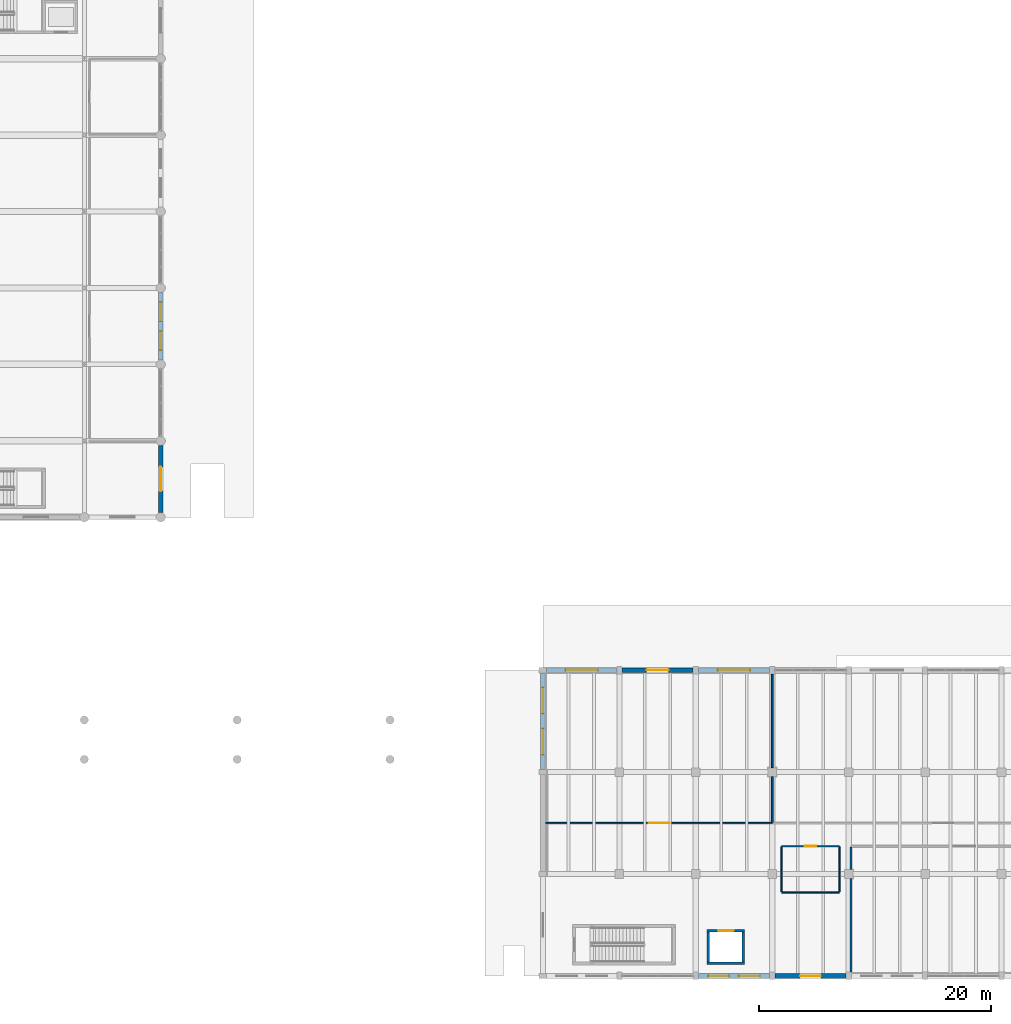
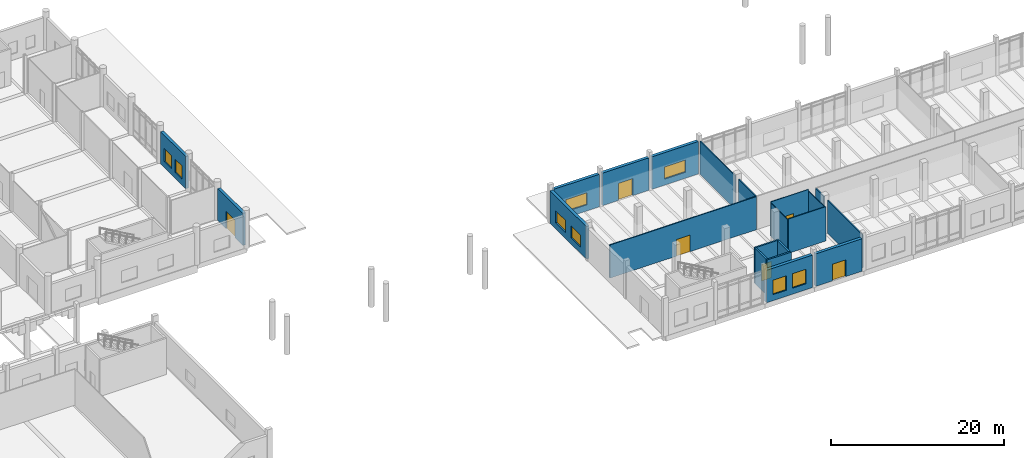
# One storey, part 47 of 72: 21 walls, 8 windows, 6 doors, 14 openings.
"""IFC4 building model written with IfcOpenShell, lengths in metres."""

import ifcopenshell
import ifcopenshell.guid

model = None  # the IFC model being written
_history = None  # IfcOwnerHistory: only IFC2X3 demands one
_inside = {}  # id of a spatial element -> (the spatial element, [elements in it])
_under = {}  # id of a project, library or spatial element -> (it, [spatial elements below it])
_declared = {}  # id of a project -> (the project, [libraries it declares])
_typed = {}  # id of a type object -> (the type object, [elements of that type])
_made_of = {}  # id of a material, layer set ... -> (it, [elements and type objects made of it])


def new_model(schema):
    """Start an empty IFC model of exactly this schema.

    Asked for "IFC4X3", IfcOpenShell would pick the latest addendum, in which some entities
    have other attributes; the version numbers below select the first issue.
    IFC2X3 requires an IfcOwnerHistory on every rooted entity: one is made here for all.
    """
    global model, _history
    if schema == "IFC4X3":
        model = ifcopenshell.file(schema_version=(4, 3, 0, 0))
    else:
        model = ifcopenshell.file(schema=schema)
    _inside.clear()
    _under.clear()
    _declared.clear()
    _typed.clear()
    _made_of.clear()
    _history = None
    if model.schema == "IFC2X3":
        org = make("IfcOrganization", Name="unknown")
        user = make(
            "IfcPersonAndOrganization",
            ThePerson=make("IfcPerson", FamilyName="unknown"),
            TheOrganization=org,
        )
        app = make(
            "IfcApplication",
            ApplicationDeveloper=org,
            Version="unknown",
            ApplicationFullName="unknown",
            ApplicationIdentifier="unknown",
        )
        _history = make(
            "IfcOwnerHistory",
            OwningUser=user,
            OwningApplication=app,
            ChangeAction="ADDED",
            CreationDate=0,
        )
    return model


def make(cls, **values):
    """One entity of the class cls with the attributes given. An attribute that is None is left unset."""
    return model.create_entity(
        cls, **{name: value for name, value in values.items() if value is not None}
    )


def rooted(cls, **values):
    """An entity with a GlobalId (a new one), such as an element, a storey or a relation."""
    return make(cls, GlobalId=ifcopenshell.guid.new(), OwnerHistory=_history, **values)


def si_unit(unit_type, name, prefix=None):
    """IfcSIUnit, for example si_unit("LENGTHUNIT", "METRE", prefix="MILLI")."""
    return make("IfcSIUnit", UnitType=unit_type, Prefix=prefix, Name=name)


def assignment(units):
    """IfcUnitAssignment: the units of a project."""
    return None if units is None else make("IfcUnitAssignment", Units=units)


def point(xyz):
    """IfcCartesianPoint."""
    return None if xyz is None else make("IfcCartesianPoint", Coordinates=xyz)


def direction(xyz):
    """IfcDirection."""
    return None if xyz is None else make("IfcDirection", DirectionRatios=xyz)


def frame(location, z_axis=None, x_axis=None):
    """IfcAxis2Placement3D, a coordinate frame: its origin and axes. An axis left out is left unset."""
    return make(
        "IfcAxis2Placement3D",
        Location=point(location),
        Axis=direction(z_axis),
        RefDirection=direction(x_axis),
    )


def frame_2d(location, x_axis=None):
    """IfcAxis2Placement2D, a coordinate frame in the plane: its origin and x axis."""
    return make(
        "IfcAxis2Placement2D", Location=point(location), RefDirection=direction(x_axis)
    )


def origin():
    """The frame at (0, 0, 0) with its axes left unset."""
    return frame((0.0, 0.0, 0.0))


def place(relative_to, where):
    """IfcLocalPlacement: puts the frame where relative to a parent placement (None: the world)."""
    return make(
        "IfcLocalPlacement", PlacementRelTo=relative_to, RelativePlacement=where
    )


def context(
    kind, dimensions, precision=None, world=None, true_north=None, identifier=None
):
    """IfcGeometricRepresentationContext, for example the 3D "Model" context."""
    return make(
        "IfcGeometricRepresentationContext",
        ContextIdentifier=identifier,
        ContextType=kind,
        CoordinateSpaceDimension=dimensions,
        Precision=precision,
        WorldCoordinateSystem=world,
        TrueNorth=true_north,
    )


def subcontext(parent, identifier, kind, view, scale=None):
    """IfcGeometricRepresentationSubContext, for example "Body" below "Model"."""
    return make(
        "IfcGeometricRepresentationSubContext",
        ContextIdentifier=identifier,
        ContextType=kind,
        ParentContext=parent,
        TargetScale=scale,
        TargetView=view,
    )


def project(units=None, contexts=None):
    """IfcProject with its units and contexts."""
    return rooted(
        "IfcProject",
        Name="project",
        RepresentationContexts=contexts,
        UnitsInContext=assignment(units),
    )


def spatial(cls, under=None, at=None, **own):
    """A site, building, storey or space (cls), placed at a placement, below another one or the project."""
    s = rooted(cls, ObjectPlacement=at, **own)
    if under is not None:
        _under.setdefault(under.id(), (under, []))[1].append(s)
    return s


def profile(cls, at=None, kind="AREA", **sizes):
    """A parametric profile (cls). Its sizes go by their IFC names, for example OverallWidth=200.0."""
    return make(cls, ProfileType=kind, Position=at, **sizes)


def rectangle(**sizes):
    """IfcRectangleProfileDef."""
    return profile("IfcRectangleProfileDef", **sizes)


def extrude(swept, where, along, depth):
    """IfcExtrudedAreaSolid: the profile swept, set in the frame where, extruded along a direction by depth."""
    return make(
        "IfcExtrudedAreaSolid",
        SweptArea=swept,
        Position=where,
        ExtrudedDirection=direction(along),
        Depth=depth,
    )


def shape(context_of_items, identifier, shape_type, items):
    """IfcShapeRepresentation: the items that make up one representation, for example the "Body"."""
    return make(
        "IfcShapeRepresentation",
        ContextOfItems=context_of_items,
        RepresentationIdentifier=identifier,
        RepresentationType=shape_type,
        Items=items,
    )


def material(Name=None, Category=None):
    """IfcMaterial."""
    return make("IfcMaterial", Name=Name, Category=Category)


def layer(
    of_material, thickness, ventilated=None, Name=None, Category=None, Priority=None
):
    """IfcMaterialLayer: one layer of a wall or slab, of a material (None: an air gap)."""
    return make(
        "IfcMaterialLayer",
        Material=of_material,
        LayerThickness=thickness,
        IsVentilated=ventilated,
        Name=Name,
        Category=Category,
        Priority=Priority,
    )


def layer_set(layers, Name=None):
    """IfcMaterialLayerSet."""
    return make("IfcMaterialLayerSet", MaterialLayers=layers, LayerSetName=Name)


def made_of(thing, what):
    """Note that an element or type object is made of a material, layer set ...; save() writes the relation."""
    if what is not None:
        _made_of.setdefault(what.id(), (what, []))[1].append(thing)
    return thing


def type_object(cls, material=None, **own):
    """A type object (cls), such as IfcWallType, which elements share."""
    return made_of(rooted(cls, **own), material)


def element(
    cls,
    number,
    at=None,
    inside=None,
    cuts=None,
    type_object=None,
    material=None,
    context=None,
    identifier="Body",
    shape_type=None,
    held_by="IfcProductDefinitionShape",
    body=None,
    shapes=None,
    **own,
):
    """One element of the class cls, such as IfcWall. Its Tag is "e" and its number.

    at: its placement. inside: the storey or other place that contains it. cuts: it is an
    opening in that element (IfcRelVoidsElement). A single representation is given by context,
    identifier, shape_type and body (its items); several are given by shapes. held_by: the class
    of the entity that holds the representations. save() writes the other relations.
    """
    e = rooted(cls, Tag="e%d" % number, ObjectPlacement=at, **own)
    if body is not None:
        shapes = [shape(context, identifier, shape_type, body)]
    if shapes is not None:
        e.Representation = make(held_by, Representations=shapes)
    if inside is not None:
        _inside.setdefault(inside.id(), (inside, []))[1].append(e)
    if cuts is not None:
        rooted(
            "IfcRelVoidsElement", RelatingBuildingElement=cuts, RelatedOpeningElement=e
        )
    if type_object is not None:
        _typed.setdefault(type_object.id(), (type_object, []))[1].append(e)
    return made_of(e, material)


def fill(opening, filler):
    """IfcRelFillsElement: the door or window that sits in an opening."""
    return rooted(
        "IfcRelFillsElement",
        RelatingOpeningElement=opening,
        RelatedBuildingElement=filler,
    )


def aggregate(whole, parts):
    """IfcRelAggregates: a whole, such as a stair, and the parts it consists of."""
    return rooted("IfcRelAggregates", RelatingObject=whole, RelatedObjects=parts)


def save(model, path):
    """Write the relations noted so far, then the file.

    IfcRelAggregates (storeys below a building ...), IfcRelContainedInSpatialStructure (elements
    in a storey), IfcRelDefinesByType, IfcRelAssociatesMaterial and IfcRelDeclares: one each for
    every whole, place, type object, material and project.
    """
    for whole, parts in _under.values():
        aggregate(whole, parts)
    for where, things in _inside.values():
        rooted(
            "IfcRelContainedInSpatialStructure",
            RelatedElements=things,
            RelatingStructure=where,
        )
    for kind, things in _typed.values():
        rooted("IfcRelDefinesByType", RelatedObjects=things, RelatingType=kind)
    for what, things in _made_of.values():
        rooted("IfcRelAssociatesMaterial", RelatedObjects=things, RelatingMaterial=what)
    for by, libraries in _declared.values():
        rooted("IfcRelDeclares", RelatingContext=by, RelatedDefinitions=libraries)
    model.write(path)


model = new_model("IFC4")

# Units and contexts
model_context = context("Model", 3, precision=1e-05, world=origin(), true_north=direction((0.0, 1.0)))
body_context = subcontext(model_context, "Body", "Model", "MODEL_VIEW")
ifc_project = project(units=[si_unit("LENGTHUNIT", "METRE"), si_unit("AREAUNIT", "SQUARE_METRE"), si_unit("VOLUMEUNIT", "CUBIC_METRE"), si_unit("PLANEANGLEUNIT", "RADIAN"), si_unit("MASSUNIT", "GRAM", prefix="KILO")], contexts=[model_context])

# Site, building, storey
site_placement = place(None, origin())
site = spatial("IfcSite", under=ifc_project, at=site_placement, CompositionType="ELEMENT")
building_placement = place(site_placement, origin())
building = spatial("IfcBuilding", under=site, at=building_placement, Name="Dornvale Research Institute", CompositionType="ELEMENT")
storey_placement = place(building_placement, origin())
storey = spatial("IfcBuildingStorey", under=building, at=storey_placement, Name="L00", CompositionType="ELEMENT", Elevation=0.0)

# Wall, opening, door
ifc_material_1 = material(Name="Epoxy-Coated Aluminum Honeycomb Cleanroom Partition", Category="aluminium")
ifc_layer_1 = layer(ifc_material_1, 0.139892578125)
ifc_layer_set_1 = layer_set([ifc_layer_1], Name="Epoxy-Coated Aluminum Honeycomb Cleanroom Partition")
wall_type_1 = type_object("IfcWallType", Name="Partition_Cleanroom_140", PredefinedType="PARTITIONING", material=ifc_layer_set_1)
wall_1_placement = place(storey_placement, frame((99.239990234375, 13.199951171875, 0.0), z_axis=(0.0, 0.0, 1.0), x_axis=(1.0, 0.0, 0.0)))
wall_1 = element("IfcWall", 1, at=wall_1_placement, inside=storey, type_object=wall_type_1, Name="L00 V3 interior partition #114", PredefinedType="PARTITIONING", context=body_context, shape_type="SweptSolid", body=[
    extrude(rectangle(XDim=19.56005859375, YDim=0.139892578125, at=frame_2d((9.780029296875, 0.0))), origin(), (0.0, 0.0, 1.0), 4.6650390625),
])
opening_1_placement = place(wall_1_placement, frame((8.889892578125, 0.0, 0.0)))
opening_1 = element("IfcOpeningElement", 2, at=opening_1_placement, cuts=wall_1, Name="Opening ID-02", PredefinedType="OPENING", context=body_context, shape_type="SweptSolid", body=[
    extrude(rectangle(XDim=1.820068359375, YDim=2.35009765625, at=frame_2d((0.91015625, 1.175048828125))), frame((0.0, 0.0849609375, 0.0), z_axis=(0.0, -1.0, 0.0), x_axis=(1.0, 0.0, 0.0)), (0.0, 0.0, 1.0), 0.169921875),
])
ifc_material_2 = material(Name="Insulated Fire-Rated Hollow Metal Door Assembly")
door_type_1 = type_object("IfcDoorType", Name="Door_CleanAirlock_1820x2350", OperationType="SINGLE_SWING_LEFT", PredefinedType="DOOR", material=ifc_material_2)
door_1_placement = place(opening_1_placement, origin())
door_1 = element("IfcDoor", 3, at=door_1_placement, inside=storey, type_object=door_type_1, Name="L00 Cleanroom Gowning Airlock L00 door #49", OperationType="DOUBLE_DOOR_SINGLE_SWING", OverallHeight=2.35009765625, OverallWidth=1.820068359375, PredefinedType="DOOR", context=body_context, shape_type="SweptSolid", body=[
    extrude(rectangle(XDim=1.820068359375, YDim=2.35009765625, at=frame_2d((0.91015625, 1.175048828125))), frame((0.0, 0.02490234375, 0.0), z_axis=(0.0, -1.0, 0.0), x_axis=(1.0, 0.0, 0.0)), (0.0, 0.0, 1.0), 0.050048828125),
])
fill(opening_1, door_1)

# Walls
wall_2_placement = place(storey_placement, frame((118.800048828125, 13.284912109375, 0.0), z_axis=(0.0, 0.0, 1.0), x_axis=(0.0, 1.0, 0.0)))
element("IfcWall", 4, at=wall_2_placement, inside=storey, type_object=wall_type_1, Name="L00 V3 interior partition #115", PredefinedType="PARTITIONING", context=body_context, shape_type="SweptSolid", body=[
    extrude(rectangle(XDim=3.920166015625, YDim=0.139892578125, at=frame_2d((1.9599609375, 0.0))), origin(), (0.0, 0.0, 1.0), 4.6650390625),
])
wall_3_placement = place(storey_placement, frame((118.800048828125, 17.9951171875, 0.0), z_axis=(0.0, 0.0, 1.0), x_axis=(0.0, 1.0, 0.0)))
element("IfcWall", 5, at=wall_3_placement, inside=storey, type_object=wall_type_1, Name="L00 V3 interior partition #116", PredefinedType="PARTITIONING", context=body_context, shape_type="SweptSolid", body=[
    extrude(rectangle(XDim=8.059814453125, YDim=0.139892578125, at=frame_2d((4.02978515625, 0.0))), origin(), (0.0, 0.0, 1.0), 4.6650390625),
])
wall_4_placement = place(storey_placement, frame((125.60009765625, 0.344970703125, 0.0), z_axis=(0.0, 0.0, 1.0), x_axis=(0.0, 1.0, 0.0)))
element("IfcWall", 6, at=wall_4_placement, inside=storey, type_object=wall_type_1, Name="L00 V3 interior partition #124", PredefinedType="PARTITIONING", context=body_context, shape_type="SweptSolid", body=[
    extrude(rectangle(XDim=8.06005859375, YDim=0.139892578125, at=frame_2d((4.030029296875, 0.0))), origin(), (0.0, 0.0, 1.0), 4.6650390625),
])
wall_5_placement = place(storey_placement, frame((125.60009765625, 9.195068359375, 0.0), z_axis=(0.0, 0.0, 1.0), x_axis=(0.0, 1.0, 0.0)))
element("IfcWall", 7, at=wall_5_placement, inside=storey, type_object=wall_type_1, Name="L00 V3 interior partition #125", PredefinedType="PARTITIONING", context=body_context, shape_type="SweptSolid", body=[
    extrude(rectangle(XDim=1.919921875, YDim=0.139892578125, at=frame_2d((0.9599609375, 0.0))), origin(), (0.0, 0.0, 1.0), 4.6650390625),
])
ifc_material_3 = material(Name="Acoustic Insulated Double-Stud Laboratory Partition")
ifc_layer_2 = layer(ifc_material_3, 0.10009765625)
ifc_layer_set_2 = layer_set([ifc_layer_2], Name="Acoustic Insulated Double-Stud Laboratory Partition")
wall_type_2 = type_object("IfcWallType", Name="Partition_Office_100", PredefinedType="PARTITIONING", material=ifc_layer_set_2)
wall_6_placement = place(storey_placement, frame((119.60009765625, 7.199951171875, 0.0), z_axis=(0.0, 0.0, 1.0), x_axis=(1.0, 0.0, 0.0)))
element("IfcWall", 8, at=wall_6_placement, inside=storey, type_object=wall_type_2, Name="L00 V3 interior partition #110", PredefinedType="PARTITIONING", context=body_context, shape_type="SweptSolid", body=[
    extrude(rectangle(XDim=5.0, YDim=0.10009765625, at=frame_2d((2.5, 0.0))), origin(), (0.0, 0.0, 1.0), 4.844970703125),
])

# Wall, opening, door
wall_7_placement = place(storey_placement, frame((119.60009765625, 11.199951171875, 0.0), z_axis=(0.0, 0.0, 1.0), x_axis=(1.0, 0.0, 0.0)))
wall_7 = element("IfcWall", 9, at=wall_7_placement, inside=storey, type_object=wall_type_2, Name="L00 V3 interior partition #111", PredefinedType="PARTITIONING", context=body_context, shape_type="SweptSolid", body=[
    extrude(rectangle(XDim=5.0, YDim=0.10009765625, at=frame_2d((2.5, 0.0))), origin(), (0.0, 0.0, 1.0), 4.844970703125),
])
opening_2_placement = place(wall_7_placement, frame((2.0, 0.0, 0.0)))
opening_2 = element("IfcOpeningElement", 10, at=opening_2_placement, cuts=wall_7, Name="Opening ID-24", PredefinedType="OPENING", context=body_context, shape_type="SweptSolid", body=[
    extrude(rectangle(XDim=1.0, YDim=2.14990234375, at=frame_2d((0.5, 1.074951171875))), frame((0.0, 0.06494140625, 0.0), z_axis=(0.0, -1.0, 0.0), x_axis=(1.0, 0.0, 0.0)), (0.0, 0.0, 1.0), 0.130126953125),
])
ifc_material_4 = material(Name="Phenolic-Faced Solid-Core Laboratory Door Assembly")
door_type_2 = type_object("IfcDoorType", Name="Door_AccWC_1000x2150", OperationType="SINGLE_SWING_LEFT", PredefinedType="DOOR", material=ifc_material_4)
door_2_placement = place(opening_2_placement, origin())
door_2 = element("IfcDoor", 11, at=door_2_placement, inside=storey, type_object=door_type_2, Name="L00 Cleanroom Staff and Accessible Restrooms L00 door #48", OperationType="SINGLE_SWING_LEFT", OverallHeight=2.14990234375, OverallWidth=1.0, PredefinedType="DOOR", context=body_context, shape_type="SweptSolid", body=[
    extrude(rectangle(XDim=1.0, YDim=2.14990234375, at=frame_2d((0.5, 1.074951171875))), frame((0.0, 0.02490234375, 0.0), z_axis=(0.0, -1.0, 0.0), x_axis=(1.0, 0.0, 0.0)), (0.0, 0.0, 1.0), 0.050048828125),
])
fill(opening_2, door_2)

# Walls
for number, where, z_axis, x_axis, name in (
    (12, (119.60009765625, 7.264892578125, 0.0), (0.0, 0.0, 1.0), (0.0, 1.0, 0.0), "L00 V3 interior partition #112"),
    (13, (124.60009765625, 7.264892578125, 0.0), (0.0, 0.0, 1.0), (0.0, 1.0, 0.0), "L00 V3 interior partition #113"),
):
    element("IfcWall", number, at=place(storey_placement, frame(where, z_axis=z_axis, x_axis=x_axis)), inside=storey, type_object=wall_type_2, Name=name, PredefinedType="PARTITIONING", context=body_context, shape_type="SweptSolid", body=[
        extrude(rectangle(XDim=3.8701171875, YDim=0.10009765625, at=frame_2d((1.93505859375, 0.0))), origin(), (0.0, 0.0, 1.0), 4.6650390625),
    ])
ifc_material_5 = material(Name="Concrete f'c 45 MPa (C35/45)", Category="concrete")
ifc_layer_3 = layer(ifc_material_5, 0.219970703125)
ifc_layer_set_3 = layer_set([ifc_layer_3], Name="Concrete f'c 45 MPa (C35/45)")
wall_type_3 = type_object("IfcWallType", Name="ShearWall_Shaft_220", PredefinedType="SHEAR", material=ifc_layer_set_3)
wall_8_placement = place(storey_placement, frame((113.179931640625, 1.090087890625, 0.0), z_axis=(0.0, 0.0, 1.0), x_axis=(1.0, 0.0, 0.0)))
element("IfcWall", 14, at=wall_8_placement, inside=storey, type_object=wall_type_3, Name="L00 LC1 elevator shaft wall south", PredefinedType="SHEAR", context=body_context, shape_type="SweptSolid", body=[
    extrude(rectangle(XDim=3.239990234375, YDim=0.219970703125, at=frame_2d((1.6201171875, 0.0))), origin(), (0.0, 0.0, 1.0), 5.0400390625),
])

# Wall, opening, door
wall_9_placement = place(storey_placement, frame((113.179931640625, 3.909912109375, 0.0), z_axis=(0.0, 0.0, 1.0), x_axis=(1.0, 0.0, 0.0)))
wall_9 = element("IfcWall", 15, at=wall_9_placement, inside=storey, type_object=wall_type_3, Name="L00 LC1 elevator shaft wall north", PredefinedType="SHEAR", context=body_context, shape_type="SweptSolid", body=[
    extrude(rectangle(XDim=3.239990234375, YDim=0.219970703125, at=frame_2d((1.6201171875, 0.0))), origin(), (0.0, 0.0, 1.0), 5.0400390625),
])
opening_3_placement = place(wall_9_placement, frame((0.945068359375, 0.0, 0.0)))
opening_3 = element("IfcOpeningElement", 16, at=opening_3_placement, cuts=wall_9, Name="Opening LD-04", PredefinedType="OPENING", context=body_context, shape_type="SweptSolid", body=[
    extrude(rectangle(XDim=1.35009765625, YDim=2.300048828125, at=frame_2d((0.675048828125, 1.14990234375))), frame((0.0, 0.125, 0.0), z_axis=(0.0, -1.0, 0.0), x_axis=(1.0, 0.0, 0.0)), (0.0, 0.0, 1.0), 0.25),
])
ifc_material_6 = material(Name="Brushed Stainless Steel Sliding Elevator Landing Door", Category="steel")
door_type_3 = type_object("IfcDoorType", Name="Door_LiftLanding_Clean_1350x2300", OperationType="SINGLE_SWING_LEFT", PredefinedType="DOOR", material=ifc_material_6)
door_3_placement = place(opening_3_placement, origin())
door_3 = element("IfcDoor", 17, at=door_3_placement, inside=storey, type_object=door_type_3, Name="L00 LC1 sliding elevator landing door #54", OperationType="SLIDING_TO_LEFT", OverallHeight=2.300048828125, OverallWidth=1.35009765625, PredefinedType="DOOR", context=body_context, shape_type="SweptSolid", body=[
    extrude(rectangle(XDim=1.35009765625, YDim=2.300048828125, at=frame_2d((0.675048828125, 1.14990234375))), frame((0.0, 0.02490234375, 0.0), z_axis=(0.0, -1.0, 0.0), x_axis=(1.0, 0.0, 0.0)), (0.0, 0.0, 1.0), 0.050048828125),
])
fill(opening_3, door_3)

# Walls
for number, where, z_axis, x_axis, name in (
    (18, (113.2900390625, 1.199951171875, 0.0), (0.0, 0.0, 1.0), (0.0, 1.0, 0.0), "L00 LC1 elevator shaft wall west"),
    (19, (116.31005859375, 1.199951171875, 0.0), (0.0, 0.0, 1.0), (0.0, 1.0, 0.0), "L00 LC1 elevator shaft wall east"),
):
    element("IfcWall", number, at=place(storey_placement, frame(where, z_axis=z_axis, x_axis=x_axis)), inside=storey, type_object=wall_type_3, Name=name, PredefinedType="SHEAR", context=body_context, shape_type="SweptSolid", body=[
        extrude(rectangle(XDim=2.60009765625, YDim=0.219970703125, at=frame_2d((1.300048828125, 0.0))), origin(), (0.0, 0.0, 1.0), 5.0400390625),
    ])

# Wall, openings, windows
ifc_material_7 = material(Name="Catalan Pressed Brick and Insulated Cavity Assembly", Category="masonry")
ifc_layer_4 = layer(ifc_material_7, 0.360107421875)
ifc_layer_set_4 = layer_set([ifc_layer_4], Name="Catalan Pressed Brick and Insulated Cavity Assembly")
wall_type_4 = type_object("IfcWallType", Name="StandardWall_BrickCavity_360", PredefinedType="STANDARD", material=ifc_layer_set_4)
wall_10_placement = place(storey_placement, frame((66.0, 59.0048828125, 0.0), z_axis=(0.0, 0.0, 1.0), x_axis=(0.0, -1.0, 0.0)))
wall_10 = element("IfcWall", 20, at=wall_10_placement, inside=storey, type_object=wall_type_4, Name="L00 V2 east exterior wall #60", PredefinedType="STANDARD", context=body_context, shape_type="SweptSolid", body=[
    extrude(rectangle(XDim=5.809814453125, YDim=0.360107421875, at=frame_2d((2.90478515625, 0.0))), origin(), (0.0, 0.0, 1.0), 4.550048828125),
])
opening_4_placement = place(wall_10_placement, frame((0.836669921875, 0.0, 0.85009765625)))
opening_4 = element("IfcOpeningElement", 21, at=opening_4_placement, cuts=wall_10, Name="Opening W-16", PredefinedType="OPENING", context=body_context, shape_type="SweptSolid", body=[
    extrude(rectangle(XDim=1.64990234375, YDim=1.860107421875, at=frame_2d((0.824951171875, 0.93017578125))), frame((0.0, 0.195068359375, 0.0), z_axis=(0.0, -1.0, 0.0), x_axis=(1.0, 0.0, 0.0)), (0.0, 0.0, 1.0), 0.39013671875),
])
opening_5_placement = place(wall_10_placement, frame((3.323486328125, 0.0, 0.85009765625)))
opening_5 = element("IfcOpeningElement", 22, at=opening_5_placement, cuts=wall_10, Name="Opening W-16", PredefinedType="OPENING", context=body_context, shape_type="SweptSolid", body=[
    extrude(rectangle(XDim=1.64990234375, YDim=1.860107421875, at=frame_2d((0.824951171875, 0.93017578125))), frame((0.0, 0.195068359375, 0.0), z_axis=(0.0, -1.0, 0.0), x_axis=(1.0, 0.0, 0.0)), (0.0, 0.0, 1.0), 0.39013671875),
])
ifc_material_8 = material(Name="Low-E Argon Double Insulating Glazing Unit", Category="glass")
window_type_1 = type_object("IfcWindowType", Name="Window_Alu_1650x1860_16", PartitioningType="SINGLE_PANEL", PredefinedType="WINDOW", material=ifc_material_8)
window_1_placement = place(opening_4_placement, origin())
window_1 = element("IfcWindow", 23, at=window_1_placement, inside=storey, type_object=window_type_1, Name="L00 V2 facade window W-16 #74", OverallHeight=1.860107421875, OverallWidth=1.64990234375, PartitioningType="SINGLE_PANEL", PredefinedType="WINDOW", context=body_context, shape_type="SweptSolid", body=[
    extrude(rectangle(XDim=1.64990234375, YDim=1.860107421875, at=frame_2d((0.824951171875, 0.93017578125))), frame((0.0, 0.030029296875, 0.0), z_axis=(0.0, -1.0, 0.0), x_axis=(1.0, 0.0, 0.0)), (0.0, 0.0, 1.0), 0.06005859375),
])
fill(opening_4, window_1)
window_2_placement = place(opening_5_placement, origin())
window_2 = element("IfcWindow", 24, at=window_2_placement, inside=storey, type_object=window_type_1, Name="L00 V2 facade window W-16 #75", OverallHeight=1.860107421875, OverallWidth=1.64990234375, PartitioningType="SINGLE_PANEL", PredefinedType="WINDOW", context=body_context, shape_type="SweptSolid", body=[
    extrude(rectangle(XDim=1.64990234375, YDim=1.860107421875, at=frame_2d((0.824951171875, 0.93017578125))), frame((0.0, 0.030029296875, 0.0), z_axis=(0.0, -1.0, 0.0), x_axis=(1.0, 0.0, 0.0)), (0.0, 0.0, 1.0), 0.06005859375),
])
fill(opening_5, window_2)

# Wall, opening, door
wall_11_placement = place(storey_placement, frame((66.0, 45.804931640625, 0.0), z_axis=(0.0, 0.0, 1.0), x_axis=(0.0, -1.0, 0.0)))
wall_11 = element("IfcWall", 25, at=wall_11_placement, inside=storey, type_object=wall_type_4, Name="L00 V2 east exterior wall #61", PredefinedType="STANDARD", context=body_context, shape_type="SweptSolid", body=[
    extrude(rectangle(XDim=5.809814453125, YDim=0.360107421875, at=frame_2d((2.90478515625, 0.0))), origin(), (0.0, 0.0, 1.0), 4.550048828125),
])
opening_6_placement = place(wall_11_placement, frame((1.85498046875, 0.0, 0.0)))
opening_6 = element("IfcOpeningElement", 26, at=opening_6_placement, cuts=wall_11, Name="Opening ED-03", PredefinedType="OPENING", context=body_context, shape_type="SweptSolid", body=[
    extrude(rectangle(XDim=2.10009765625, YDim=2.5, at=frame_2d((1.050048828125, 1.25))), frame((0.0, 0.195068359375, 0.0), z_axis=(0.0, -1.0, 0.0), x_axis=(1.0, 0.0, 0.0)), (0.0, 0.0, 1.0), 0.39013671875),
])
ifc_material_9 = material(Name="Galvanized Hollow Metal Insulated Door Assembly")
door_type_4 = type_object("IfcDoorType", Name="Door_ExtPortal_2100x2500", OperationType="SINGLE_SWING_LEFT", PredefinedType="DOOR", material=ifc_material_9)
door_4_placement = place(opening_6_placement, origin())
door_4 = element("IfcDoor", 27, at=door_4_placement, inside=storey, type_object=door_type_4, Name="L00 V2 final exit door ED-03 #9", OperationType="DOUBLE_DOOR_SINGLE_SWING", OverallHeight=2.5, OverallWidth=2.10009765625, PredefinedType="DOOR", context=body_context, shape_type="SweptSolid", body=[
    extrude(rectangle(XDim=2.10009765625, YDim=2.5, at=frame_2d((1.050048828125, 1.25))), frame((0.0, 0.02490234375, 0.0), z_axis=(0.0, -1.0, 0.0), x_axis=(1.0, 0.0, 0.0)), (0.0, 0.0, 1.0), 0.050048828125),
])
fill(opening_6, door_4)

# Wall, openings, windows
ifc_material_10 = material(Name="Precast Concrete f'c 40 MPa (C32/40) and Glazed Terracotta Backup Wall", Category="masonry")
ifc_layer_5 = layer(ifc_material_10, 0.39990234375)
ifc_layer_set_5 = layer_set([ifc_layer_5], Name="Precast Concrete f'c 40 MPa (C32/40) and Glazed Terracotta Backup Wall")
wall_type_5 = type_object("IfcWallType", Name="StandardWall_CleanroomExt_400", PredefinedType="STANDARD", material=ifc_layer_set_5)
wall_12_placement = place(storey_placement, frame((99.0, 17.824951171875, 0.0), z_axis=(0.0, 0.0, 1.0), x_axis=(0.0, 1.0, 0.0)))
wall_12 = element("IfcWall", 28, at=wall_12_placement, inside=storey, type_object=wall_type_5, Name="L00 V3 west exterior wall #112", PredefinedType="STANDARD", context=body_context, shape_type="SweptSolid", body=[
    extrude(rectangle(XDim=8.35009765625, YDim=0.39990234375, at=frame_2d((4.175048828125, 0.0))), origin(), (0.0, 0.0, 1.0), 4.580078125),
])
opening_7_placement = place(wall_12_placement, frame((1.283203125, 0.0, 0.85009765625)))
opening_7 = element("IfcOpeningElement", 29, at=opening_7_placement, cuts=wall_12, Name="Opening W-20", PredefinedType="OPENING", context=body_context, shape_type="SweptSolid", body=[
    extrude(rectangle(XDim=2.25, YDim=1.699951171875, at=frame_2d((1.125, 0.85009765625))), frame((0.0, 0.21484375, 0.0), z_axis=(0.0, -1.0, 0.0), x_axis=(1.0, 0.0, 0.0)), (0.0, 0.0, 1.0), 0.429931640625),
])
opening_8_placement = place(wall_12_placement, frame((4.816650390625, 0.0, 0.85009765625)))
opening_8 = element("IfcOpeningElement", 30, at=opening_8_placement, cuts=wall_12, Name="Opening W-20", PredefinedType="OPENING", context=body_context, shape_type="SweptSolid", body=[
    extrude(rectangle(XDim=2.25, YDim=1.699951171875, at=frame_2d((1.125, 0.85009765625))), frame((0.0, 0.21484375, 0.0), z_axis=(0.0, -1.0, 0.0), x_axis=(1.0, 0.0, 0.0)), (0.0, 0.0, 1.0), 0.429931640625),
])
ifc_material_11 = material(Name="Low-E Argon Double Insulating Glazing Unit", Category="glass")
window_type_2 = type_object("IfcWindowType", Name="Window_Alu_2250x1700_20", PartitioningType="DOUBLE_PANEL_VERTICAL", PredefinedType="WINDOW", material=ifc_material_11)
window_3_placement = place(opening_7_placement, origin())
window_3 = element("IfcWindow", 31, at=window_3_placement, inside=storey, type_object=window_type_2, Name="L00 V3 facade window W-20 #140", OverallHeight=1.699951171875, OverallWidth=2.25, PartitioningType="DOUBLE_PANEL_VERTICAL", PredefinedType="WINDOW", context=body_context, shape_type="SweptSolid", body=[
    extrude(rectangle(XDim=2.25, YDim=1.699951171875, at=frame_2d((1.125, 0.85009765625))), frame((0.0, 0.030029296875, 0.0), z_axis=(0.0, -1.0, 0.0), x_axis=(1.0, 0.0, 0.0)), (0.0, 0.0, 1.0), 0.06005859375),
])
fill(opening_7, window_3)
window_4_placement = place(opening_8_placement, origin())
window_4 = element("IfcWindow", 32, at=window_4_placement, inside=storey, type_object=window_type_2, Name="L00 V3 facade window W-20 #141", OverallHeight=1.699951171875, OverallWidth=2.25, PartitioningType="DOUBLE_PANEL_VERTICAL", PredefinedType="WINDOW", context=body_context, shape_type="SweptSolid", body=[
    extrude(rectangle(XDim=2.25, YDim=1.699951171875, at=frame_2d((1.125, 0.85009765625))), frame((0.0, 0.030029296875, 0.0), z_axis=(0.0, -1.0, 0.0), x_axis=(1.0, 0.0, 0.0)), (0.0, 0.0, 1.0), 0.06005859375),
])
fill(opening_8, window_4)

# Wall, opening, window
wall_13_placement = place(storey_placement, frame((99.324951171875, 26.39990234375, 0.0), z_axis=(0.0, 0.0, 1.0), x_axis=(1.0, 0.0, 0.0)))
wall_13 = element("IfcWall", 33, at=wall_13_placement, inside=storey, type_object=wall_type_5, Name="L00 V3 north exterior wall #113", PredefinedType="STANDARD", context=body_context, shape_type="SweptSolid", body=[
    extrude(rectangle(XDim=6.050048828125, YDim=0.39990234375, at=frame_2d((3.02490234375, 0.0))), origin(), (0.0, 0.0, 1.0), 4.580078125),
])
opening_9_placement = place(wall_13_placement, frame((1.625, 0.0, 0.85009765625)))
opening_9 = element("IfcOpeningElement", 34, at=opening_9_placement, cuts=wall_13, Name="Opening W-23", PredefinedType="OPENING", context=body_context, shape_type="SweptSolid", body=[
    extrude(rectangle(XDim=2.800048828125, YDim=1.699951171875, at=frame_2d((1.39990234375, 0.85009765625))), frame((0.0, 0.21484375, 0.0), z_axis=(0.0, -1.0, 0.0), x_axis=(1.0, 0.0, 0.0)), (0.0, 0.0, 1.0), 0.429931640625),
])
ifc_material_12 = material(Name="Low-E Argon Double Insulating Glazing Unit", Category="glass")
window_type_3 = type_object("IfcWindowType", Name="Window_Alu_2800x1700_23", PartitioningType="DOUBLE_PANEL_VERTICAL", PredefinedType="WINDOW", material=ifc_material_12)
window_5_placement = place(opening_9_placement, origin())
window_5 = element("IfcWindow", 35, at=window_5_placement, inside=storey, type_object=window_type_3, Name="L00 V3 facade window W-23 #142", OverallHeight=1.699951171875, OverallWidth=2.800048828125, PartitioningType="DOUBLE_PANEL_VERTICAL", PredefinedType="WINDOW", context=body_context, shape_type="SweptSolid", body=[
    extrude(rectangle(XDim=2.800048828125, YDim=1.699951171875, at=frame_2d((1.39990234375, 0.85009765625))), frame((0.0, 0.030029296875, 0.0), z_axis=(0.0, -1.0, 0.0), x_axis=(1.0, 0.0, 0.0)), (0.0, 0.0, 1.0), 0.06005859375),
])
fill(opening_9, window_5)

# Wall, opening, door
wall_14_placement = place(storey_placement, frame((105.824951171875, 26.39990234375, 0.0), z_axis=(0.0, 0.0, 1.0), x_axis=(1.0, 0.0, 0.0)))
wall_14 = element("IfcWall", 36, at=wall_14_placement, inside=storey, type_object=wall_type_5, Name="L00 V3 north exterior wall #114", PredefinedType="STANDARD", context=body_context, shape_type="SweptSolid", body=[
    extrude(rectangle(XDim=6.150146484375, YDim=0.39990234375, at=frame_2d((3.0751953125, 0.0))), origin(), (0.0, 0.0, 1.0), 4.580078125),
])
opening_10_placement = place(wall_14_placement, frame((2.125, 0.0, 0.0)))
opening_10 = element("IfcOpeningElement", 37, at=opening_10_placement, cuts=wall_14, Name="Opening ED-05", PredefinedType="OPENING", context=body_context, shape_type="SweptSolid", body=[
    extrude(rectangle(XDim=1.89990234375, YDim=2.39990234375, at=frame_2d((0.949951171875, 1.199951171875))), frame((0.0, 0.21484375, 0.0), z_axis=(0.0, -1.0, 0.0), x_axis=(1.0, 0.0, 0.0)), (0.0, 0.0, 1.0), 0.429931640625),
])
ifc_material_13 = material(Name="Galvanized Hollow Metal Insulated Door Assembly")
door_type_5 = type_object("IfcDoorType", Name="Door_ExtExit_1900x2400", OperationType="SINGLE_SWING_LEFT", PredefinedType="DOOR", material=ifc_material_13)
door_5_placement = place(opening_10_placement, origin())
door_5 = element("IfcDoor", 38, at=door_5_placement, inside=storey, type_object=door_type_5, Name="L00 V3 final exit door ED-05 #15", OperationType="DOUBLE_DOOR_SINGLE_SWING", OverallHeight=2.39990234375, OverallWidth=1.89990234375, PredefinedType="DOOR", context=body_context, shape_type="SweptSolid", body=[
    extrude(rectangle(XDim=1.89990234375, YDim=2.39990234375, at=frame_2d((0.949951171875, 1.199951171875))), frame((0.0, 0.02490234375, 0.0), z_axis=(0.0, -1.0, 0.0), x_axis=(1.0, 0.0, 0.0)), (0.0, 0.0, 1.0), 0.050048828125),
])
fill(opening_10, door_5)

# Wall, opening, window
wall_15_placement = place(storey_placement, frame((112.425048828125, 26.39990234375, 0.0), z_axis=(0.0, 0.0, 1.0), x_axis=(1.0, 0.0, 0.0)))
wall_15 = element("IfcWall", 39, at=wall_15_placement, inside=storey, type_object=wall_type_5, Name="L00 V3 north exterior wall #115", PredefinedType="STANDARD", context=body_context, shape_type="SweptSolid", body=[
    extrude(rectangle(XDim=6.14990234375, YDim=0.39990234375, at=frame_2d((3.074951171875, 0.0))), origin(), (0.0, 0.0, 1.0), 4.580078125),
])
opening_11_placement = place(wall_15_placement, frame((1.675048828125, 0.0, 0.85009765625)))
opening_11 = element("IfcOpeningElement", 40, at=opening_11_placement, cuts=wall_15, Name="Opening W-23", PredefinedType="OPENING", context=body_context, shape_type="SweptSolid", body=[
    extrude(rectangle(XDim=2.800048828125, YDim=1.699951171875, at=frame_2d((1.39990234375, 0.85009765625))), frame((0.0, 0.21484375, 0.0), z_axis=(0.0, -1.0, 0.0), x_axis=(1.0, 0.0, 0.0)), (0.0, 0.0, 1.0), 0.429931640625),
])
window_6_placement = place(opening_11_placement, origin())
window_6 = element("IfcWindow", 41, at=window_6_placement, inside=storey, type_object=window_type_3, Name="L00 V3 facade window W-23 #143", OverallHeight=1.699951171875, OverallWidth=2.800048828125, PartitioningType="DOUBLE_PANEL_VERTICAL", PredefinedType="WINDOW", context=body_context, shape_type="SweptSolid", body=[
    extrude(rectangle(XDim=2.800048828125, YDim=1.699951171875, at=frame_2d((1.39990234375, 0.85009765625))), frame((0.0, 0.030029296875, 0.0), z_axis=(0.0, -1.0, 0.0), x_axis=(1.0, 0.0, 0.0)), (0.0, 0.0, 1.0), 0.06005859375),
])
fill(opening_11, window_6)

# Wall, opening, door
wall_16_placement = place(storey_placement, frame((125.175048828125, 0.0, 0.0), z_axis=(0.0, 0.0, 1.0), x_axis=(-1.0, 0.0, 0.0)))
wall_16 = element("IfcWall", 42, at=wall_16_placement, inside=storey, type_object=wall_type_5, Name="L00 V3 south exterior wall #127", PredefinedType="STANDARD", context=body_context, shape_type="SweptSolid", body=[
    extrude(rectangle(XDim=6.150146484375, YDim=0.39990234375, at=frame_2d((3.0751953125, 0.0))), origin(), (0.0, 0.0, 1.0), 4.580078125),
])
opening_12_placement = place(wall_16_placement, frame((2.175048828125, 0.0, 0.0)))
opening_12 = element("IfcOpeningElement", 43, at=opening_12_placement, cuts=wall_16, Name="Opening ED-06", PredefinedType="OPENING", context=body_context, shape_type="SweptSolid", body=[
    extrude(rectangle(XDim=1.800048828125, YDim=2.35009765625, at=frame_2d((0.89990234375, 1.175048828125))), frame((0.0, 0.21484375, 0.0), z_axis=(0.0, -1.0, 0.0), x_axis=(1.0, 0.0, 0.0)), (0.0, 0.0, 1.0), 0.429931640625),
])
ifc_material_14 = material(Name="Galvanized Hollow Metal Insulated Door Assembly")
door_type_6 = type_object("IfcDoorType", Name="Door_ExtExit_1800x2350", OperationType="SINGLE_SWING_LEFT", PredefinedType="DOOR", material=ifc_material_14)
door_6_placement = place(opening_12_placement, origin())
door_6 = element("IfcDoor", 44, at=door_6_placement, inside=storey, type_object=door_type_6, Name="L00 V3 final exit door ED-06 #18", OperationType="DOUBLE_DOOR_SINGLE_SWING", OverallHeight=2.35009765625, OverallWidth=1.800048828125, PredefinedType="DOOR", context=body_context, shape_type="SweptSolid", body=[
    extrude(rectangle(XDim=1.800048828125, YDim=2.35009765625, at=frame_2d((0.89990234375, 1.175048828125))), frame((0.0, 0.02490234375, 0.0), z_axis=(0.0, -1.0, 0.0), x_axis=(1.0, 0.0, 0.0)), (0.0, 0.0, 1.0), 0.050048828125),
])
fill(opening_12, door_6)

# Wall, openings, windows
wall_17_placement = place(storey_placement, frame((118.574951171875, 0.0, 0.0), z_axis=(0.0, 0.0, 1.0), x_axis=(-1.0, 0.0, 0.0)))
wall_17 = element("IfcWall", 45, at=wall_17_placement, inside=storey, type_object=wall_type_5, Name="L00 V3 south exterior wall #128", PredefinedType="STANDARD", context=body_context, shape_type="SweptSolid", body=[
    extrude(rectangle(XDim=6.14990234375, YDim=0.39990234375, at=frame_2d((3.074951171875, 0.0))), origin(), (0.0, 0.0, 1.0), 4.580078125),
])
opening_13_placement = place(wall_17_placement, frame((0.85009765625, 0.0, 0.85009765625)))
opening_13 = element("IfcOpeningElement", 46, at=opening_13_placement, cuts=wall_17, Name="Opening W-29", PredefinedType="OPENING", context=body_context, shape_type="SweptSolid", body=[
    extrude(rectangle(XDim=1.800048828125, YDim=2.0400390625, at=frame_2d((0.89990234375, 1.02001953125))), frame((0.0, 0.21484375, 0.0), z_axis=(0.0, -1.0, 0.0), x_axis=(1.0, 0.0, 0.0)), (0.0, 0.0, 1.0), 0.429931640625),
])
opening_14_placement = place(wall_17_placement, frame((3.5, 0.0, 0.85009765625)))
opening_14 = element("IfcOpeningElement", 47, at=opening_14_placement, cuts=wall_17, Name="Opening W-29", PredefinedType="OPENING", context=body_context, shape_type="SweptSolid", body=[
    extrude(rectangle(XDim=1.800048828125, YDim=2.0400390625, at=frame_2d((0.89990234375, 1.02001953125))), frame((0.0, 0.21484375, 0.0), z_axis=(0.0, -1.0, 0.0), x_axis=(1.0, 0.0, 0.0)), (0.0, 0.0, 1.0), 0.429931640625),
])
ifc_material_15 = material(Name="Low-E Argon Double Insulating Glazing Unit", Category="glass")
window_type_4 = type_object("IfcWindowType", Name="Window_Alu_1800x2040_29", PartitioningType="DOUBLE_PANEL_VERTICAL", PredefinedType="WINDOW", material=ifc_material_15)
window_7_placement = place(opening_13_placement, origin())
window_7 = element("IfcWindow", 48, at=window_7_placement, inside=storey, type_object=window_type_4, Name="L00 V3 facade window W-29 #159", OverallHeight=2.0400390625, OverallWidth=1.800048828125, PartitioningType="DOUBLE_PANEL_VERTICAL", PredefinedType="WINDOW", context=body_context, shape_type="SweptSolid", body=[
    extrude(rectangle(XDim=1.800048828125, YDim=2.0400390625, at=frame_2d((0.89990234375, 1.02001953125))), frame((0.0, 0.030029296875, 0.0), z_axis=(0.0, -1.0, 0.0), x_axis=(1.0, 0.0, 0.0)), (0.0, 0.0, 1.0), 0.06005859375),
])
fill(opening_13, window_7)
window_8_placement = place(opening_14_placement, origin())
window_8 = element("IfcWindow", 49, at=window_8_placement, inside=storey, type_object=window_type_4, Name="L00 V3 facade window W-29 #160", OverallHeight=2.0400390625, OverallWidth=1.800048828125, PartitioningType="DOUBLE_PANEL_VERTICAL", PredefinedType="WINDOW", context=body_context, shape_type="SweptSolid", body=[
    extrude(rectangle(XDim=1.800048828125, YDim=2.0400390625, at=frame_2d((0.89990234375, 1.02001953125))), frame((0.0, 0.030029296875, 0.0), z_axis=(0.0, -1.0, 0.0), x_axis=(1.0, 0.0, 0.0)), (0.0, 0.0, 1.0), 0.06005859375),
])
fill(opening_14, window_8)

save(model, "model.ifc")
